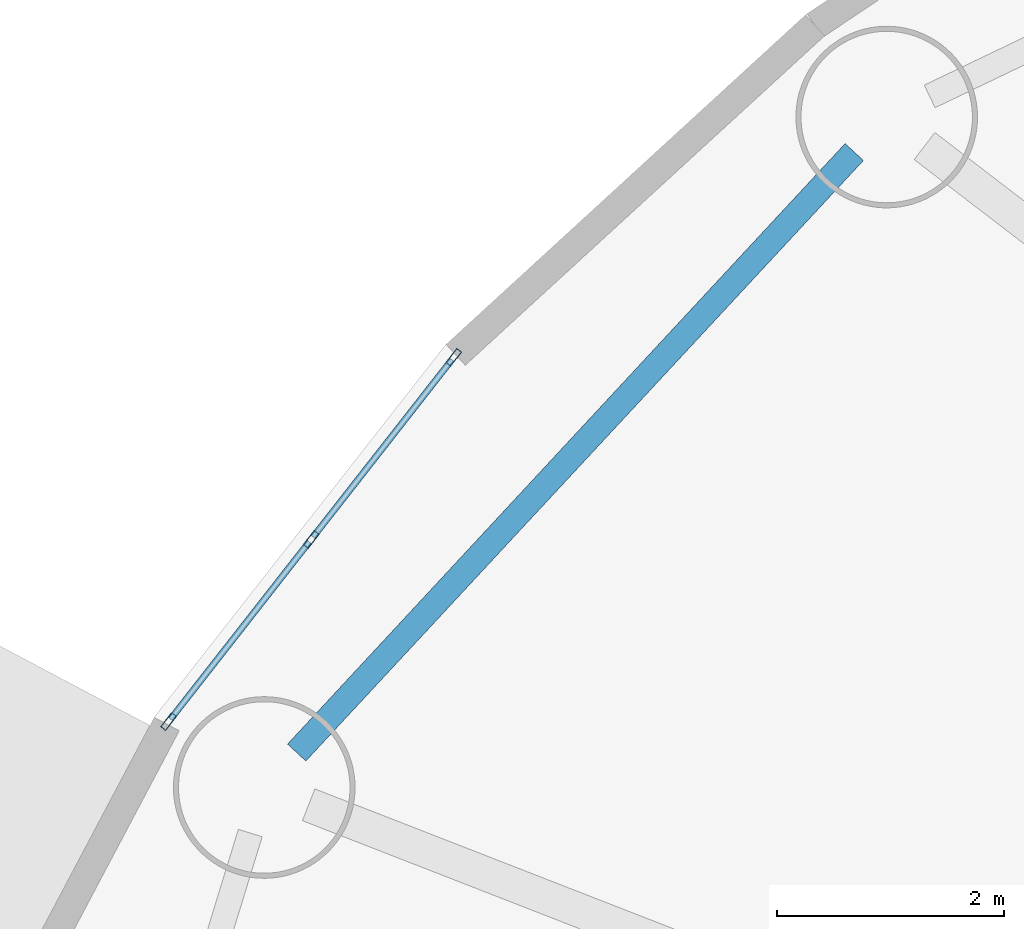
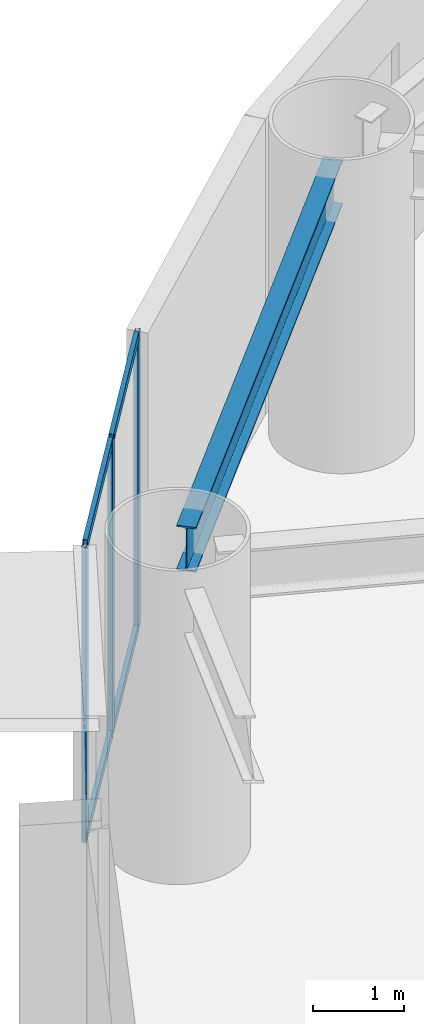
# One storey, part 9 of 28: 7 members, 1 beam, 1 element without a shape of its own.
"""IFC4 building model written with IfcOpenShell, lengths in metres."""

import ifcopenshell
import ifcopenshell.guid

model = None  # the IFC model being written
_history = None  # IfcOwnerHistory: only IFC2X3 demands one
_inside = {}  # id of a spatial element -> (the spatial element, [elements in it])
_under = {}  # id of a project, library or spatial element -> (it, [spatial elements below it])
_declared = {}  # id of a project -> (the project, [libraries it declares])
_typed = {}  # id of a type object -> (the type object, [elements of that type])
_made_of = {}  # id of a material, layer set ... -> (it, [elements and type objects made of it])


def new_model(schema):
    """Start an empty IFC model of exactly this schema.

    Asked for "IFC4X3", IfcOpenShell would pick the latest addendum, in which some entities
    have other attributes; the version numbers below select the first issue.
    IFC2X3 requires an IfcOwnerHistory on every rooted entity: one is made here for all.
    """
    global model, _history
    if schema == "IFC4X3":
        model = ifcopenshell.file(schema_version=(4, 3, 0, 0))
    else:
        model = ifcopenshell.file(schema=schema)
    _inside.clear()
    _under.clear()
    _declared.clear()
    _typed.clear()
    _made_of.clear()
    _history = None
    if model.schema == "IFC2X3":
        org = make("IfcOrganization", Name="unknown")
        user = make(
            "IfcPersonAndOrganization",
            ThePerson=make("IfcPerson", FamilyName="unknown"),
            TheOrganization=org,
        )
        app = make(
            "IfcApplication",
            ApplicationDeveloper=org,
            Version="unknown",
            ApplicationFullName="unknown",
            ApplicationIdentifier="unknown",
        )
        _history = make(
            "IfcOwnerHistory",
            OwningUser=user,
            OwningApplication=app,
            ChangeAction="ADDED",
            CreationDate=0,
        )
    return model


def make(cls, **values):
    """One entity of the class cls with the attributes given. An attribute that is None is left unset."""
    return model.create_entity(
        cls, **{name: value for name, value in values.items() if value is not None}
    )


def rooted(cls, **values):
    """An entity with a GlobalId (a new one), such as an element, a storey or a relation."""
    return make(cls, GlobalId=ifcopenshell.guid.new(), OwnerHistory=_history, **values)


def si_unit(unit_type, name, prefix=None):
    """IfcSIUnit, for example si_unit("LENGTHUNIT", "METRE", prefix="MILLI")."""
    return make("IfcSIUnit", UnitType=unit_type, Prefix=prefix, Name=name)


def assignment(units):
    """IfcUnitAssignment: the units of a project."""
    return None if units is None else make("IfcUnitAssignment", Units=units)


def point(xyz):
    """IfcCartesianPoint."""
    return None if xyz is None else make("IfcCartesianPoint", Coordinates=xyz)


def direction(xyz):
    """IfcDirection."""
    return None if xyz is None else make("IfcDirection", DirectionRatios=xyz)


def frame(location, z_axis=None, x_axis=None):
    """IfcAxis2Placement3D, a coordinate frame: its origin and axes. An axis left out is left unset."""
    return make(
        "IfcAxis2Placement3D",
        Location=point(location),
        Axis=direction(z_axis),
        RefDirection=direction(x_axis),
    )


def frame_2d(location, x_axis=None):
    """IfcAxis2Placement2D, a coordinate frame in the plane: its origin and x axis."""
    return make(
        "IfcAxis2Placement2D", Location=point(location), RefDirection=direction(x_axis)
    )


def origin():
    """The frame at (0, 0, 0) with its axes left unset."""
    return frame((0.0, 0.0, 0.0))


def origin_2d():
    """The frame at (0, 0) in the plane with its x axis left unset."""
    return frame_2d((0.0, 0.0))


def place(relative_to, where):
    """IfcLocalPlacement: puts the frame where relative to a parent placement (None: the world)."""
    return make(
        "IfcLocalPlacement", PlacementRelTo=relative_to, RelativePlacement=where
    )


def context(
    kind, dimensions, precision=None, world=None, true_north=None, identifier=None
):
    """IfcGeometricRepresentationContext, for example the 3D "Model" context."""
    return make(
        "IfcGeometricRepresentationContext",
        ContextIdentifier=identifier,
        ContextType=kind,
        CoordinateSpaceDimension=dimensions,
        Precision=precision,
        WorldCoordinateSystem=world,
        TrueNorth=true_north,
    )


def subcontext(parent, identifier, kind, view, scale=None):
    """IfcGeometricRepresentationSubContext, for example "Body" below "Model"."""
    return make(
        "IfcGeometricRepresentationSubContext",
        ContextIdentifier=identifier,
        ContextType=kind,
        ParentContext=parent,
        TargetScale=scale,
        TargetView=view,
    )


def project(units=None, contexts=None):
    """IfcProject with its units and contexts."""
    return rooted(
        "IfcProject",
        Name="project",
        RepresentationContexts=contexts,
        UnitsInContext=assignment(units),
    )


def spatial(cls, under=None, at=None, **own):
    """A site, building, storey or space (cls), placed at a placement, below another one or the project."""
    s = rooted(cls, ObjectPlacement=at, **own)
    if under is not None:
        _under.setdefault(under.id(), (under, []))[1].append(s)
    return s


def profile(cls, at=None, kind="AREA", **sizes):
    """A parametric profile (cls). Its sizes go by their IFC names, for example OverallWidth=200.0."""
    return make(cls, ProfileType=kind, Position=at, **sizes)


def hollow_rectangle(**sizes):
    """IfcRectangleHollowProfileDef."""
    return profile("IfcRectangleHollowProfileDef", **sizes)


def i_section(**sizes):
    """IfcIShapeProfileDef."""
    return profile("IfcIShapeProfileDef", **sizes)


def extrude(swept, where, along, depth):
    """IfcExtrudedAreaSolid: the profile swept, set in the frame where, extruded along a direction by depth."""
    return make(
        "IfcExtrudedAreaSolid",
        SweptArea=swept,
        Position=where,
        ExtrudedDirection=direction(along),
        Depth=depth,
    )


def shape(context_of_items, identifier, shape_type, items):
    """IfcShapeRepresentation: the items that make up one representation, for example the "Body"."""
    return make(
        "IfcShapeRepresentation",
        ContextOfItems=context_of_items,
        RepresentationIdentifier=identifier,
        RepresentationType=shape_type,
        Items=items,
    )


def source(mapping_origin, context_of_items, identifier, shape_type, items):
    """IfcRepresentationMap: a shape defined once, which mapped items show again and again."""
    return make(
        "IfcRepresentationMap",
        MappingOrigin=mapping_origin,
        MappedRepresentation=shape(context_of_items, identifier, shape_type, items),
    )


def transform(
    local_origin,
    x_axis=None,
    y_axis=None,
    z_axis=None,
    scale=None,
    scale2=None,
    scale3=None,
    uniform=True,
):
    """IfcCartesianTransformationOperator3D, or its non-uniform kind. x_axis, y_axis, z_axis: its Axis1, 2, 3."""
    if uniform:
        return make(
            "IfcCartesianTransformationOperator3D",
            Axis1=direction(x_axis),
            Axis2=direction(y_axis),
            LocalOrigin=point(local_origin),
            Scale=scale,
            Axis3=direction(z_axis),
        )
    return make(
        "IfcCartesianTransformationOperator3DnonUniform",
        Axis1=direction(x_axis),
        Axis2=direction(y_axis),
        LocalOrigin=point(local_origin),
        Scale=scale,
        Axis3=direction(z_axis),
        Scale2=scale2,
        Scale3=scale3,
    )


def mapped(mapping_source, mapping_target):
    """IfcMappedItem: shows the shape of a source again, moved by a transform."""
    return make(
        "IfcMappedItem", MappingSource=mapping_source, MappingTarget=mapping_target
    )


def material(Name=None, Category=None):
    """IfcMaterial."""
    return make("IfcMaterial", Name=Name, Category=Category)


def layer(
    of_material, thickness, ventilated=None, Name=None, Category=None, Priority=None
):
    """IfcMaterialLayer: one layer of a wall or slab, of a material (None: an air gap)."""
    return make(
        "IfcMaterialLayer",
        Material=of_material,
        LayerThickness=thickness,
        IsVentilated=ventilated,
        Name=Name,
        Category=Category,
        Priority=Priority,
    )


def layer_set(layers, Name=None):
    """IfcMaterialLayerSet."""
    return make("IfcMaterialLayerSet", MaterialLayers=layers, LayerSetName=Name)


def material_profile(
    of_material, cross_section, Name=None, Category=None, Priority=None
):
    """IfcMaterialProfile: a cross section and its material."""
    return make(
        "IfcMaterialProfile",
        Name=Name,
        Material=of_material,
        Profile=cross_section,
        Priority=Priority,
        Category=Category,
    )


def profile_set(profiles, Name=None, composite=None):
    """IfcMaterialProfileSet."""
    return make(
        "IfcMaterialProfileSet",
        Name=Name,
        MaterialProfiles=profiles,
        CompositeProfile=composite,
    )


def made_of(thing, what):
    """Note that an element or type object is made of a material, layer set ...; save() writes the relation."""
    if what is not None:
        _made_of.setdefault(what.id(), (what, []))[1].append(thing)
    return thing


def type_object(cls, material=None, **own):
    """A type object (cls), such as IfcWallType, which elements share."""
    return made_of(rooted(cls, **own), material)


def element(
    cls,
    number,
    at=None,
    inside=None,
    cuts=None,
    type_object=None,
    material=None,
    context=None,
    identifier="Body",
    shape_type=None,
    held_by="IfcProductDefinitionShape",
    body=None,
    shapes=None,
    **own,
):
    """One element of the class cls, such as IfcWall. Its Tag is "e" and its number.

    at: its placement. inside: the storey or other place that contains it. cuts: it is an
    opening in that element (IfcRelVoidsElement). A single representation is given by context,
    identifier, shape_type and body (its items); several are given by shapes. held_by: the class
    of the entity that holds the representations. save() writes the other relations.
    """
    e = rooted(cls, Tag="e%d" % number, ObjectPlacement=at, **own)
    if body is not None:
        shapes = [shape(context, identifier, shape_type, body)]
    if shapes is not None:
        e.Representation = make(held_by, Representations=shapes)
    if inside is not None:
        _inside.setdefault(inside.id(), (inside, []))[1].append(e)
    if cuts is not None:
        rooted(
            "IfcRelVoidsElement", RelatingBuildingElement=cuts, RelatedOpeningElement=e
        )
    if type_object is not None:
        _typed.setdefault(type_object.id(), (type_object, []))[1].append(e)
    return made_of(e, material)


def aggregate(whole, parts):
    """IfcRelAggregates: a whole, such as a stair, and the parts it consists of."""
    return rooted("IfcRelAggregates", RelatingObject=whole, RelatedObjects=parts)


def save(model, path):
    """Write the relations noted so far, then the file.

    IfcRelAggregates (storeys below a building ...), IfcRelContainedInSpatialStructure (elements
    in a storey), IfcRelDefinesByType, IfcRelAssociatesMaterial and IfcRelDeclares: one each for
    every whole, place, type object, material and project.
    """
    for whole, parts in _under.values():
        aggregate(whole, parts)
    for where, things in _inside.values():
        rooted(
            "IfcRelContainedInSpatialStructure",
            RelatedElements=things,
            RelatingStructure=where,
        )
    for kind, things in _typed.values():
        rooted("IfcRelDefinesByType", RelatedObjects=things, RelatingType=kind)
    for what, things in _made_of.values():
        rooted("IfcRelAssociatesMaterial", RelatedObjects=things, RelatingMaterial=what)
    for by, libraries in _declared.values():
        rooted("IfcRelDeclares", RelatingContext=by, RelatedDefinitions=libraries)
    model.write(path)


model = new_model("IFC4")

# Units and contexts
model_context = context("Model", 3, precision=1e-05, world=origin(), true_north=direction((0.0, 1.0)))
body_context = subcontext(model_context, "Body", "Model", "MODEL_VIEW")
ifc_project = project(units=[si_unit("LENGTHUNIT", "METRE"), si_unit("AREAUNIT", "SQUARE_METRE"), si_unit("VOLUMEUNIT", "CUBIC_METRE"), si_unit("PLANEANGLEUNIT", "RADIAN"), si_unit("MASSUNIT", "GRAM", prefix="KILO")], contexts=[model_context])

# Site, building, storey
site_placement = place(None, origin())
site = spatial("IfcSite", under=ifc_project, at=site_placement, CompositionType="ELEMENT")
building_placement = place(site_placement, origin())
building = spatial("IfcBuilding", under=site, at=building_placement, Name="Linh Dai School and Residence Tower", CompositionType="ELEMENT")
storey_placement = place(building_placement, frame((0.0, 0.0, 36.60009765625)))
storey = spatial("IfcBuildingStorey", under=building, at=storey_placement, Name="L08", CompositionType="ELEMENT", Elevation=36.60009765625)

# Beam
ifc_material_1 = material(Name="Structural Steel S355JR", Category="steel")
ifc_material_profile_1 = material_profile(ifc_material_1, i_section(OverallWidth=0.219970703125, OverallDepth=0.60009765625, WebThickness=0.011962890625, FlangeThickness=0.01904296875, FilletRadius=0.02392578125, at=origin_2d()), Name="IPE 600")
ifc_profile_set_1 = profile_set([ifc_material_profile_1], Name="Structural Steel S355JR")
beam_type = type_object("IfcBeamType", Name="BM-RB60", PredefinedType="BEAM", material=ifc_profile_set_1)
beam_placement = place(storey_placement, frame((14.361572265625, 43.061279296875, 3.64990234375), z_axis=(-0.680408287194, -0.732833243458, 0.0), x_axis=(0.732833243458, -0.680408287194, 0.0)))
element("IfcBeam", 1, at=beam_placement, inside=storey, type_object=beam_type, Name="L08 Perimeter Elliptical Ring Beam 07", PredefinedType="BEAM", context=body_context, shape_type="SweptSolid", body=[
    extrude(i_section(OverallWidth=0.219970703125, OverallDepth=0.60009765625, WebThickness=0.011962890625, FlangeThickness=0.01904296875, FilletRadius=0.02392578125, at=origin_2d()), origin(), (0.0, 0.0, 1.0), 7.21826171875),
])

# Curtain wall, members
ifc_material_2 = material(Name="Aluminium Anodised Curtain Wall", Category="aluminium")
ifc_layer = layer(ifc_material_2, 0.159912109375)
ifc_layer_set = layer_set([ifc_layer], Name="Aluminium Anodised Curtain Wall")
curtain_wall_type = type_object("IfcCurtainWallType", Name="CW-SYS-3", PredefinedType="USERDEFINED", material=ifc_layer_set)
curtain_wall_placement = place(storey_placement, origin())
curtain_wall = element("IfcCurtainWall", 2, at=curtain_wall_placement, inside=storey, type_object=curtain_wall_type, Name="L08 CW3 Curtain Wall 17", ObjectType="RIBBON CURTAIN WALL", PredefinedType="USERDEFINED")
ifc_material_3 = material(Name="Aluminium Alloy 6063-T6", Category="aluminium")
ifc_material_profile_2 = material_profile(ifc_material_3, hollow_rectangle(XDim=0.054931640625, YDim=0.1201171875, WallThickness=0.00390625, at=origin_2d()), Name="RHS 120x55x4")
ifc_profile_set_2 = profile_set([ifc_material_profile_2], Name="Aluminium Alloy 6063-T6")
member_type_1 = type_object("IfcMemberType", Name="CW-SYS-3-TRN", PredefinedType="USERDEFINED", material=ifc_profile_set_2)
shared_shape_1 = source(origin(), body_context, "Body", "SweptSolid", [
    extrude(hollow_rectangle(XDim=0.054931640625, YDim=0.1201171875, WallThickness=0.00390625, at=origin_2d()), origin(), (0.0, 0.0, 1.0), 1.98193359375),
])
member_1_placement = place(storey_placement, frame((8.33935546875, 38.066162109375, 0.02734375), z_axis=(0.616291654008, 0.787517998016, 0.0), x_axis=(-0.787517998016, 0.616291654008, 0.0)))
member_1 = element("IfcMember", 3, at=member_1_placement, type_object=member_type_1, Name="CW3 transom 1.1", ObjectType="TRANSOM", PredefinedType="USERDEFINED", context=body_context, shape_type="MappedRepresentation", body=[
    mapped(shared_shape_1, transform((0.0, 0.0, 0.0), x_axis=(1.0, 0.0, 0.0), y_axis=(0.0, 1.0, 0.0), z_axis=(0.0, 0.0, 1.0), scale=1.0)),
])
member_2_placement = place(storey_placement, frame((8.33935546875, 38.066162109375, 3.92236328125), z_axis=(0.616291654008, 0.787517998016, 0.0), x_axis=(-0.787517998016, 0.616291654008, 0.0)))
member_2 = element("IfcMember", 4, at=member_2_placement, type_object=member_type_1, Name="CW3 transom 1.2", ObjectType="TRANSOM", PredefinedType="USERDEFINED", context=body_context, shape_type="MappedRepresentation", body=[
    mapped(shared_shape_1, transform((0.0, 0.0, 0.0), x_axis=(1.0, 0.0, 0.0), y_axis=(0.0, 1.0, 0.0), z_axis=(0.0, 0.0, 1.0), scale=1.0)),
])
shared_shape_2 = source(origin(), body_context, "Body", "SweptSolid", [
    extrude(hollow_rectangle(XDim=0.054931640625, YDim=0.1201171875, WallThickness=0.00390625, at=origin_2d()), origin(), (0.0, 0.0, 1.0), 1.982177734375),
])
member_3_placement = place(storey_placement, frame((9.5947265625, 39.67041015625, 0.02734375), z_axis=(0.616368042389, 0.787458212429, 0.0), x_axis=(-0.787458212429, 0.616368042389, 0.0)))
member_3 = element("IfcMember", 5, at=member_3_placement, type_object=member_type_1, Name="CW3 transom 2.1", ObjectType="TRANSOM", PredefinedType="USERDEFINED", context=body_context, shape_type="MappedRepresentation", body=[
    mapped(shared_shape_2, transform((0.0, 0.0, 0.0), x_axis=(1.0, 0.0, 0.0), y_axis=(0.0, 1.0, 0.0), z_axis=(0.0, 0.0, 1.0), scale=1.0)),
])
member_4_placement = place(storey_placement, frame((9.5947265625, 39.67041015625, 3.92236328125), z_axis=(0.616368042389, 0.787458212429, 0.0), x_axis=(-0.787458212429, 0.616368042389, 0.0)))
member_4 = element("IfcMember", 6, at=member_4_placement, type_object=member_type_1, Name="CW3 transom 2.2", ObjectType="TRANSOM", PredefinedType="USERDEFINED", context=body_context, shape_type="MappedRepresentation", body=[
    mapped(shared_shape_2, transform((0.0, 0.0, 0.0), x_axis=(1.0, 0.0, 0.0), y_axis=(0.0, 1.0, 0.0), z_axis=(0.0, 0.0, 1.0), scale=1.0)),
])
ifc_material_profile_3 = material_profile(ifc_material_3, hollow_rectangle(XDim=0.054931640625, YDim=0.159912109375, WallThickness=0.00390625, at=origin_2d()), Name="RHS 160x55x4")
ifc_profile_set_3 = profile_set([ifc_material_profile_3], Name="Aluminium Alloy 6063-T6")
member_type_2 = type_object("IfcMemberType", Name="CW-SYS-3-MUL", PredefinedType="MULLION", material=ifc_profile_set_3)
shared_shape_3 = source(origin(), body_context, "Body", "SweptSolid", [
    extrude(hollow_rectangle(XDim=0.054931640625, YDim=0.159912109375, WallThickness=0.00390625, at=origin_2d()), origin(), (0.0, 0.0, 1.0), 3.949951171875),
])
member_5_placement = place(storey_placement, frame((8.322265625, 38.04443359375, 0.0), z_axis=(0.0, 0.0, 1.0), x_axis=(-0.787496262172, 0.616319427785, 0.0)))
member_5 = element("IfcMember", 7, at=member_5_placement, type_object=member_type_2, Name="CW3 mullion 1", PredefinedType="MULLION", context=body_context, shape_type="MappedRepresentation", body=[
    mapped(shared_shape_3, transform((0.0, 0.0, 0.0), x_axis=(1.0, 0.0, 0.0), y_axis=(0.0, 1.0, 0.0), z_axis=(0.0, 0.0, 1.0), scale=1.0)),
])
member_6_placement = place(storey_placement, frame((9.577880859375, 39.648681640625, 0.0), z_axis=(0.0, 0.0, 1.0), x_axis=(-0.787496262172, 0.616319427785, 0.0)))
member_6 = element("IfcMember", 8, at=member_6_placement, type_object=member_type_2, Name="CW3 mullion 2", PredefinedType="MULLION", context=body_context, shape_type="MappedRepresentation", body=[
    mapped(shared_shape_3, transform((0.0, 0.0, 0.0), x_axis=(1.0, 0.0, 0.0), y_axis=(0.0, 1.0, 0.0), z_axis=(0.0, 0.0, 1.0), scale=1.0)),
])
member_7_placement = place(storey_placement, frame((10.833251953125, 41.2529296875, 0.0), z_axis=(0.0, 0.0, 1.0), x_axis=(-0.787496262172, 0.616319427785, 0.0)))
member_7 = element("IfcMember", 9, at=member_7_placement, type_object=member_type_2, Name="CW3 mullion 3", PredefinedType="MULLION", context=body_context, shape_type="MappedRepresentation", body=[
    mapped(shared_shape_3, transform((0.0, 0.0, 0.0), x_axis=(1.0, 0.0, 0.0), y_axis=(0.0, 1.0, 0.0), z_axis=(0.0, 0.0, 1.0), scale=1.0)),
])
aggregate(curtain_wall, [member_5, member_6, member_7, member_1, member_2, member_3, member_4])

save(model, "model.ifc")
